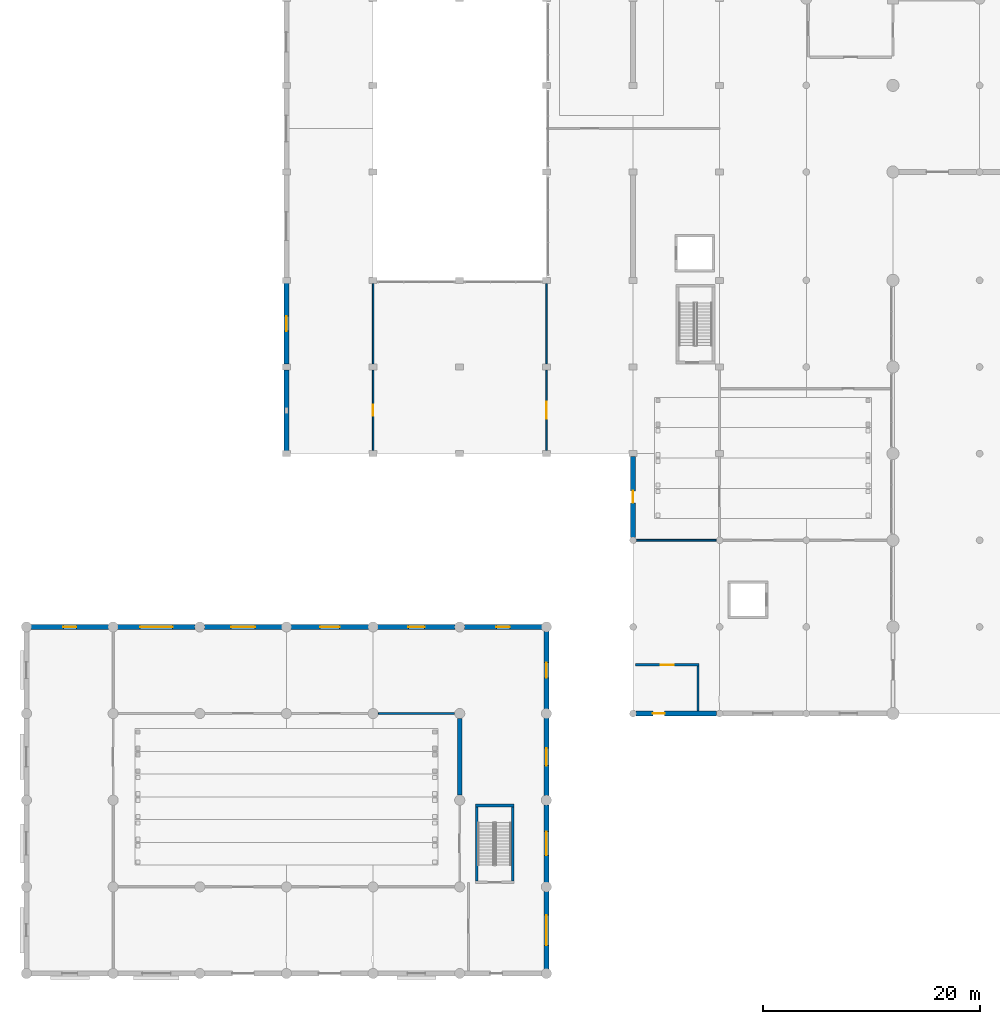
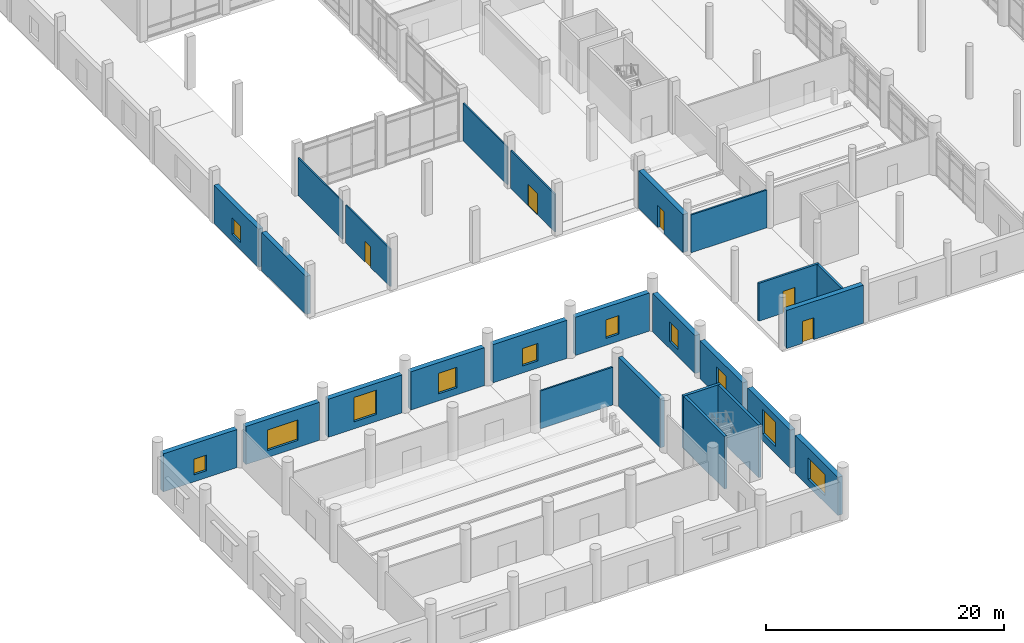
# One storey, part 22 of 42: 26 walls, 11 windows, 5 doors, 16 openings.
"""IFC4 building model written with IfcOpenShell, lengths in metres."""

from ifc_helpers import new_model, si_unit, direction, frame, frame_2d, origin, place, context, subcontext, project, spatial, rectangle, extrude, material, layer, layer_set, type_object, element, fill, save


model = new_model("IFC4")

# Units and contexts
model_context = context("Model", 3, precision=1e-05, world=origin(), true_north=direction((0.0, 1.0)))
body_context = subcontext(model_context, "Body", "Model", "MODEL_VIEW")
ifc_project = project(units=[si_unit("LENGTHUNIT", "METRE"), si_unit("AREAUNIT", "SQUARE_METRE"), si_unit("VOLUMEUNIT", "CUBIC_METRE"), si_unit("PLANEANGLEUNIT", "RADIAN"), si_unit("MASSUNIT", "GRAM", prefix="KILO")], contexts=[model_context])

# Site, building, storey
site_placement = place(None, origin())
site = spatial("IfcSite", under=ifc_project, at=site_placement, CompositionType="ELEMENT")
building_placement = place(site_placement, origin())
building = spatial("IfcBuilding", under=site, at=building_placement, Name="Pecanmere Concourse Central Library", CompositionType="ELEMENT")
storey_placement = place(building_placement, origin())
storey = spatial("IfcBuildingStorey", under=building, at=storey_placement, Name="L01", CompositionType="ELEMENT", Elevation=0.0)

# Wall, opening, window
ifc_material_1 = material(Name="Texas sunset granite ashlar", Category="masonry")
ifc_layer_1 = layer(ifc_material_1, 0.47998046875, Name="EW_GRAN_480")
ifc_layer_set_1 = layer_set([ifc_layer_1], Name="Texas sunset granite ashlar")
wall_type_1 = type_object("IfcWallType", Name="EW_GRAN_480", PredefinedType="STANDARD", material=ifc_layer_set_1)
wall_1_placement = place(storey_placement, frame((7.576904296875, 32.0, 0.0), z_axis=(0.0, 0.0, 1.0), x_axis=(-1.0, 0.0, 0.0)))
wall_1 = element("IfcWall", 1, at=wall_1_placement, inside=storey, type_object=wall_type_1, Name="Limestone Facade Wall L01-0011", PredefinedType="STANDARD", context=body_context, shape_type="SweptSolid", body=[
    extrude(rectangle(XDim=7.15380859375, YDim=0.47998046875, at=frame_2d((3.576904296875, 0.0))), origin(), (0.0, 0.0, 1.0), 3.909912109375),
])
opening_1_placement = place(wall_1_placement, frame((2.97705078125, 0.0, 0.719970703125)))
opening_1 = element("IfcOpeningElement", 2, at=opening_1_placement, cuts=wall_1, Name="Opening WN-13", PredefinedType="OPENING", context=body_context, shape_type="SweptSolid", body=[
    extrude(rectangle(XDim=1.199951171875, YDim=1.60009765625, at=frame_2d((0.60009765625, 0.800048828125))), frame((0.0, 0.251953125, 0.0), z_axis=(0.0, -1.0, 0.0), x_axis=(1.0, 0.0, 0.0)), (0.0, 0.0, 1.0), 0.50390625),
])
ifc_material_2 = material(Name="Low-iron clear insulated glazing", Category="glass")
window_type_1 = type_object("IfcWindowType", Name="WIN_1200x1600", PartitioningType="SINGLE_PANEL", PredefinedType="WINDOW", material=ifc_material_2)
window_1_placement = place(opening_1_placement, origin())
window_1 = element("IfcWindow", 3, at=window_1_placement, inside=storey, type_object=window_type_1, Name="WN-002", OverallHeight=1.60009765625, OverallWidth=1.199951171875, PartitioningType="SINGLE_PANEL", PredefinedType="WINDOW", context=body_context, shape_type="SweptSolid", body=[
    extrude(rectangle(XDim=1.199951171875, YDim=1.60009765625, at=frame_2d((0.60009765625, 0.800048828125))), frame((0.0, 0.030029296875, 0.0), z_axis=(0.0, -1.0, 0.0), x_axis=(1.0, 0.0, 0.0)), (0.0, 0.0, 1.0), 0.06005859375),
])
fill(opening_1, window_1)

wall_2_placement = place(storey_placement, frame((15.576904296875, 32.0, 0.0), z_axis=(0.0, 0.0, 1.0), x_axis=(-1.0, 0.0, 0.0)))
wall_2 = element("IfcWall", 4, at=wall_2_placement, inside=storey, type_object=wall_type_1, Name="Limestone Facade Wall L01-0013", PredefinedType="STANDARD", context=body_context, shape_type="SweptSolid", body=[
    extrude(rectangle(XDim=7.15380859375, YDim=0.47998046875, at=frame_2d((3.576904296875, 0.0))), origin(), (0.0, 0.0, 1.0), 3.909912109375),
])
opening_2_placement = place(wall_2_placement, frame((2.076904296875, 0.0, 0.719970703125)))
opening_2 = element("IfcOpeningElement", 5, at=opening_2_placement, cuts=wall_2, Name="Opening WN-17", PredefinedType="OPENING", context=body_context, shape_type="SweptSolid", body=[
    extrude(rectangle(XDim=3.0, YDim=2.10009765625, at=frame_2d((1.5, 1.050048828125))), frame((0.0, 0.251953125, 0.0), z_axis=(0.0, -1.0, 0.0), x_axis=(1.0, 0.0, 0.0)), (0.0, 0.0, 1.0), 0.50390625),
])
ifc_material_3 = material(Name="Low-iron clear insulated glazing", Category="glass")
window_type_2 = type_object("IfcWindowType", Name="WIN_3000x2100", PartitioningType="SINGLE_PANEL", PredefinedType="WINDOW", material=ifc_material_3)
window_2_placement = place(opening_2_placement, origin())
window_2 = element("IfcWindow", 6, at=window_2_placement, inside=storey, type_object=window_type_2, Name="WN-004", OverallHeight=2.10009765625, OverallWidth=3.0, PartitioningType="SINGLE_PANEL", PredefinedType="WINDOW", context=body_context, shape_type="SweptSolid", body=[
    extrude(rectangle(XDim=3.0, YDim=2.10009765625, at=frame_2d((1.5, 1.050048828125))), frame((0.0, 0.030029296875, 0.0), z_axis=(0.0, -1.0, 0.0), x_axis=(1.0, 0.0, 0.0)), (0.0, 0.0, 1.0), 0.06005859375),
])
fill(opening_2, window_2)

wall_3_placement = place(storey_placement, frame((23.576904296875, 32.0, 0.0), z_axis=(0.0, 0.0, 1.0), x_axis=(-1.0, 0.0, 0.0)))
wall_3 = element("IfcWall", 7, at=wall_3_placement, inside=storey, type_object=wall_type_1, Name="Limestone Facade Wall L01-0015", PredefinedType="STANDARD", context=body_context, shape_type="SweptSolid", body=[
    extrude(rectangle(XDim=7.15380859375, YDim=0.47998046875, at=frame_2d((3.576904296875, 0.0))), origin(), (0.0, 0.0, 1.0), 3.909912109375),
])
opening_3_placement = place(wall_3_placement, frame((2.47705078125, 0.0, 0.719970703125)))
opening_3 = element("IfcOpeningElement", 8, at=opening_3_placement, cuts=wall_3, Name="Opening WN-02", PredefinedType="OPENING", context=body_context, shape_type="SweptSolid", body=[
    extrude(rectangle(XDim=2.199951171875, YDim=2.5, at=frame_2d((1.10009765625, 1.25))), frame((0.0, 0.251953125, 0.0), z_axis=(0.0, -1.0, 0.0), x_axis=(1.0, 0.0, 0.0)), (0.0, 0.0, 1.0), 0.50390625),
])
ifc_material_4 = material(Name="Low-iron clear insulated glazing", Category="glass")
window_type_3 = type_object("IfcWindowType", Name="WIN_2200x2500", PartitioningType="SINGLE_PANEL", PredefinedType="WINDOW", material=ifc_material_4)
window_3_placement = place(opening_3_placement, origin())
window_3 = element("IfcWindow", 9, at=window_3_placement, inside=storey, type_object=window_type_3, Name="WN-005", OverallHeight=2.5, OverallWidth=2.199951171875, PartitioningType="SINGLE_PANEL", PredefinedType="WINDOW", context=body_context, shape_type="SweptSolid", body=[
    extrude(rectangle(XDim=2.199951171875, YDim=2.5, at=frame_2d((1.10009765625, 1.25))), frame((0.0, 0.030029296875, 0.0), z_axis=(0.0, -1.0, 0.0), x_axis=(1.0, 0.0, 0.0)), (0.0, 0.0, 1.0), 0.06005859375),
])
fill(opening_3, window_3)

wall_4_placement = place(storey_placement, frame((31.576904296875, 32.0, 0.0), z_axis=(0.0, 0.0, 1.0), x_axis=(-1.0, 0.0, 0.0)))
wall_4 = element("IfcWall", 10, at=wall_4_placement, inside=storey, type_object=wall_type_1, Name="Limestone Facade Wall L01-0017", PredefinedType="STANDARD", context=body_context, shape_type="SweptSolid", body=[
    extrude(rectangle(XDim=7.15380859375, YDim=0.47998046875, at=frame_2d((3.576904296875, 0.0))), origin(), (0.0, 0.0, 1.0), 3.909912109375),
])
opening_4_placement = place(wall_4_placement, frame((2.677001953125, 0.0, 0.719970703125)))
opening_4 = element("IfcOpeningElement", 11, at=opening_4_placement, cuts=wall_4, Name="Opening WN-05", PredefinedType="OPENING", context=body_context, shape_type="SweptSolid", body=[
    extrude(rectangle(XDim=1.800048828125, YDim=2.10009765625, at=frame_2d((0.89990234375, 1.050048828125))), frame((0.0, 0.251953125, 0.0), z_axis=(0.0, -1.0, 0.0), x_axis=(1.0, 0.0, 0.0)), (0.0, 0.0, 1.0), 0.50390625),
])
ifc_material_5 = material(Name="Low-iron clear insulated glazing", Category="glass")
window_type_4 = type_object("IfcWindowType", Name="WIN_1800x2100", PartitioningType="SINGLE_PANEL", PredefinedType="WINDOW", material=ifc_material_5)
window_4_placement = place(opening_4_placement, origin())
window_4 = element("IfcWindow", 12, at=window_4_placement, inside=storey, type_object=window_type_4, Name="WN-006", OverallHeight=2.10009765625, OverallWidth=1.800048828125, PartitioningType="SINGLE_PANEL", PredefinedType="WINDOW", context=body_context, shape_type="SweptSolid", body=[
    extrude(rectangle(XDim=1.800048828125, YDim=2.10009765625, at=frame_2d((0.89990234375, 1.050048828125))), frame((0.0, 0.030029296875, 0.0), z_axis=(0.0, -1.0, 0.0), x_axis=(1.0, 0.0, 0.0)), (0.0, 0.0, 1.0), 0.06005859375),
])
fill(opening_4, window_4)

wall_5_placement = place(storey_placement, frame((39.576904296875, 32.0, 0.0), z_axis=(0.0, 0.0, 1.0), x_axis=(-1.0, 0.0, 0.0)))
wall_5 = element("IfcWall", 13, at=wall_5_placement, inside=storey, type_object=wall_type_1, Name="Limestone Facade Wall L01-0019", PredefinedType="STANDARD", context=body_context, shape_type="SweptSolid", body=[
    extrude(rectangle(XDim=7.15380859375, YDim=0.47998046875, at=frame_2d((3.576904296875, 0.0))), origin(), (0.0, 0.0, 1.0), 3.909912109375),
])
opening_5_placement = place(wall_5_placement, frame((2.826904296875, 0.0, 0.719970703125)))
opening_5 = element("IfcOpeningElement", 14, at=opening_5_placement, cuts=wall_5, Name="Opening WN-09", PredefinedType="OPENING", context=body_context, shape_type="SweptSolid", body=[
    extrude(rectangle(XDim=1.5, YDim=1.800048828125, at=frame_2d((0.75, 0.89990234375))), frame((0.0, 0.251953125, 0.0), z_axis=(0.0, -1.0, 0.0), x_axis=(1.0, 0.0, 0.0)), (0.0, 0.0, 1.0), 0.50390625),
])
ifc_material_6 = material(Name="Low-iron clear insulated glazing", Category="glass")
window_type_5 = type_object("IfcWindowType", Name="WIN_1500x1800", PartitioningType="SINGLE_PANEL", PredefinedType="WINDOW", material=ifc_material_6)
window_5_placement = place(opening_5_placement, origin())
window_5 = element("IfcWindow", 15, at=window_5_placement, inside=storey, type_object=window_type_5, Name="WN-008", OverallHeight=1.800048828125, OverallWidth=1.5, PartitioningType="SINGLE_PANEL", PredefinedType="WINDOW", context=body_context, shape_type="SweptSolid", body=[
    extrude(rectangle(XDim=1.5, YDim=1.800048828125, at=frame_2d((0.75, 0.89990234375))), frame((0.0, 0.030029296875, 0.0), z_axis=(0.0, -1.0, 0.0), x_axis=(1.0, 0.0, 0.0)), (0.0, 0.0, 1.0), 0.06005859375),
])
fill(opening_5, window_5)

wall_6_placement = place(storey_placement, frame((47.576904296875, 32.0, 0.0), z_axis=(0.0, 0.0, 1.0), x_axis=(-1.0, 0.0, 0.0)))
wall_6 = element("IfcWall", 16, at=wall_6_placement, inside=storey, type_object=wall_type_1, Name="Limestone Facade Wall L01-0021", PredefinedType="STANDARD", context=body_context, shape_type="SweptSolid", body=[
    extrude(rectangle(XDim=7.15380859375, YDim=0.47998046875, at=frame_2d((3.576904296875, 0.0))), origin(), (0.0, 0.0, 1.0), 3.909912109375),
])
opening_6_placement = place(wall_6_placement, frame((2.951904296875, 0.0, 0.719970703125)))
opening_6 = element("IfcOpeningElement", 17, at=opening_6_placement, cuts=wall_6, Name="Opening WN-12", PredefinedType="OPENING", context=body_context, shape_type="SweptSolid", body=[
    extrude(rectangle(XDim=1.25, YDim=1.89990234375, at=frame_2d((0.625, 0.949951171875))), frame((0.0, 0.251953125, 0.0), z_axis=(0.0, -1.0, 0.0), x_axis=(1.0, 0.0, 0.0)), (0.0, 0.0, 1.0), 0.50390625),
])
ifc_material_7 = material(Name="Low-iron clear insulated glazing", Category="glass")
window_type_6 = type_object("IfcWindowType", Name="WIN_1250x1900", PartitioningType="SINGLE_PANEL", PredefinedType="WINDOW", material=ifc_material_7)
window_6_placement = place(opening_6_placement, origin())
window_6 = element("IfcWindow", 18, at=window_6_placement, inside=storey, type_object=window_type_6, Name="WN-009", OverallHeight=1.89990234375, OverallWidth=1.25, PartitioningType="SINGLE_PANEL", PredefinedType="WINDOW", context=body_context, shape_type="SweptSolid", body=[
    extrude(rectangle(XDim=1.25, YDim=1.89990234375, at=frame_2d((0.625, 0.949951171875))), frame((0.0, 0.030029296875, 0.0), z_axis=(0.0, -1.0, 0.0), x_axis=(1.0, 0.0, 0.0)), (0.0, 0.0, 1.0), 0.06005859375),
])
fill(opening_6, window_6)

wall_7_placement = place(storey_placement, frame((48.0, 0.423095703125, 0.0), z_axis=(0.0, 0.0, 1.0), x_axis=(0.0, 1.0, 0.0)))
wall_7 = element("IfcWall", 19, at=wall_7_placement, inside=storey, type_object=wall_type_1, Name="Limestone Facade Wall L01-0023", PredefinedType="STANDARD", context=body_context, shape_type="SweptSolid", body=[
    extrude(rectangle(XDim=7.15380859375, YDim=0.47998046875, at=frame_2d((3.576904296875, 0.0))), origin(), (0.0, 0.0, 1.0), 3.909912109375),
])
opening_7_placement = place(wall_7_placement, frame((2.177001953125, 0.0, 0.719970703125)))
opening_7 = element("IfcOpeningElement", 20, at=opening_7_placement, cuts=wall_7, Name="Opening WN-16", PredefinedType="OPENING", context=body_context, shape_type="SweptSolid", body=[
    extrude(rectangle(XDim=2.800048828125, YDim=2.199951171875, at=frame_2d((1.39990234375, 1.10009765625))), frame((0.0, 0.251953125, 0.0), z_axis=(0.0, -1.0, 0.0), x_axis=(1.0, 0.0, 0.0)), (0.0, 0.0, 1.0), 0.50390625),
])
ifc_material_8 = material(Name="Low-iron clear insulated glazing", Category="glass")
window_type_7 = type_object("IfcWindowType", Name="WIN_2800x2200", PartitioningType="SINGLE_PANEL", PredefinedType="WINDOW", material=ifc_material_8)
window_7_placement = place(opening_7_placement, origin())
window_7 = element("IfcWindow", 21, at=window_7_placement, inside=storey, type_object=window_type_7, Name="WN-011", OverallHeight=2.199951171875, OverallWidth=2.800048828125, PartitioningType="SINGLE_PANEL", PredefinedType="WINDOW", context=body_context, shape_type="SweptSolid", body=[
    extrude(rectangle(XDim=2.800048828125, YDim=2.199951171875, at=frame_2d((1.39990234375, 1.10009765625))), frame((0.0, 0.030029296875, 0.0), z_axis=(0.0, -1.0, 0.0), x_axis=(1.0, 0.0, 0.0)), (0.0, 0.0, 1.0), 0.06005859375),
])
fill(opening_7, window_7)

wall_8_placement = place(storey_placement, frame((48.0, 8.423095703125, 0.0), z_axis=(0.0, 0.0, 1.0), x_axis=(0.0, 1.0, 0.0)))
wall_8 = element("IfcWall", 22, at=wall_8_placement, inside=storey, type_object=wall_type_1, Name="Limestone Facade Wall L01-0025", PredefinedType="STANDARD", context=body_context, shape_type="SweptSolid", body=[
    extrude(rectangle(XDim=7.15380859375, YDim=0.47998046875, at=frame_2d((3.576904296875, 0.0))), origin(), (0.0, 0.0, 1.0), 3.909912109375),
])
opening_8_placement = place(wall_8_placement, frame((2.47705078125, 0.0, 0.719970703125)))
opening_8 = element("IfcOpeningElement", 23, at=opening_8_placement, cuts=wall_8, Name="Opening WN-02", PredefinedType="OPENING", context=body_context, shape_type="SweptSolid", body=[
    extrude(rectangle(XDim=2.199951171875, YDim=2.5, at=frame_2d((1.10009765625, 1.25))), frame((0.0, 0.251953125, 0.0), z_axis=(0.0, -1.0, 0.0), x_axis=(1.0, 0.0, 0.0)), (0.0, 0.0, 1.0), 0.50390625),
])
window_8_placement = place(opening_8_placement, origin())
window_8 = element("IfcWindow", 24, at=window_8_placement, inside=storey, type_object=window_type_3, Name="WN-013", OverallHeight=2.5, OverallWidth=2.199951171875, PartitioningType="SINGLE_PANEL", PredefinedType="WINDOW", context=body_context, shape_type="SweptSolid", body=[
    extrude(rectangle(XDim=2.199951171875, YDim=2.5, at=frame_2d((1.10009765625, 1.25))), frame((0.0, 0.030029296875, 0.0), z_axis=(0.0, -1.0, 0.0), x_axis=(1.0, 0.0, 0.0)), (0.0, 0.0, 1.0), 0.06005859375),
])
fill(opening_8, window_8)

wall_9_placement = place(storey_placement, frame((48.0, 16.423095703125, 0.0), z_axis=(0.0, 0.0, 1.0), x_axis=(0.0, 1.0, 0.0)))
wall_9 = element("IfcWall", 25, at=wall_9_placement, inside=storey, type_object=wall_type_1, Name="Limestone Facade Wall L01-0027", PredefinedType="STANDARD", context=body_context, shape_type="SweptSolid", body=[
    extrude(rectangle(XDim=7.15380859375, YDim=0.47998046875, at=frame_2d((3.576904296875, 0.0))), origin(), (0.0, 0.0, 1.0), 3.909912109375),
])
opening_9_placement = place(wall_9_placement, frame((2.777099609375, 0.0, 0.719970703125)))
opening_9 = element("IfcOpeningElement", 26, at=opening_9_placement, cuts=wall_9, Name="Opening WN-06", PredefinedType="OPENING", context=body_context, shape_type="SweptSolid", body=[
    extrude(rectangle(XDim=1.60009765625, YDim=2.199951171875, at=frame_2d((0.800048828125, 1.10009765625))), frame((0.0, 0.251953125, 0.0), z_axis=(0.0, -1.0, 0.0), x_axis=(1.0, 0.0, 0.0)), (0.0, 0.0, 1.0), 0.50390625),
])
ifc_material_9 = material(Name="Low-iron clear insulated glazing", Category="glass")
window_type_8 = type_object("IfcWindowType", Name="WIN_1600x2200", PartitioningType="SINGLE_PANEL", PredefinedType="WINDOW", material=ifc_material_9)
window_9_placement = place(opening_9_placement, origin())
window_9 = element("IfcWindow", 27, at=window_9_placement, inside=storey, type_object=window_type_8, Name="WN-015", OverallHeight=2.199951171875, OverallWidth=1.60009765625, PartitioningType="SINGLE_PANEL", PredefinedType="WINDOW", context=body_context, shape_type="SweptSolid", body=[
    extrude(rectangle(XDim=1.60009765625, YDim=2.199951171875, at=frame_2d((0.800048828125, 1.10009765625))), frame((0.0, 0.030029296875, 0.0), z_axis=(0.0, -1.0, 0.0), x_axis=(1.0, 0.0, 0.0)), (0.0, 0.0, 1.0), 0.06005859375),
])
fill(opening_9, window_9)

wall_10_placement = place(storey_placement, frame((48.0, 24.423095703125, 0.0), z_axis=(0.0, 0.0, 1.0), x_axis=(0.0, 1.0, 0.0)))
wall_10 = element("IfcWall", 28, at=wall_10_placement, inside=storey, type_object=wall_type_1, Name="Limestone Facade Wall L01-0029", PredefinedType="STANDARD", context=body_context, shape_type="SweptSolid", body=[
    extrude(rectangle(XDim=7.15380859375, YDim=0.47998046875, at=frame_2d((3.576904296875, 0.0))), origin(), (0.0, 0.0, 1.0), 3.909912109375),
])
opening_10_placement = place(wall_10_placement, frame((2.876953125, 0.0, 0.719970703125)))
opening_10 = element("IfcOpeningElement", 29, at=opening_10_placement, cuts=wall_10, Name="Opening WN-10", PredefinedType="OPENING", context=body_context, shape_type="SweptSolid", body=[
    extrude(rectangle(XDim=1.39990234375, YDim=2.0, at=frame_2d((0.699951171875, 1.0))), frame((0.0, 0.251953125, 0.0), z_axis=(0.0, -1.0, 0.0), x_axis=(1.0, 0.0, 0.0)), (0.0, 0.0, 1.0), 0.50390625),
])
ifc_material_10 = material(Name="Low-iron clear insulated glazing", Category="glass")
window_type_9 = type_object("IfcWindowType", Name="WIN_1400x2000", PartitioningType="SINGLE_PANEL", PredefinedType="WINDOW", material=ifc_material_10)
window_10_placement = place(opening_10_placement, origin())
window_10 = element("IfcWindow", 30, at=window_10_placement, inside=storey, type_object=window_type_9, Name="WN-017", OverallHeight=2.0, OverallWidth=1.39990234375, PartitioningType="SINGLE_PANEL", PredefinedType="WINDOW", context=body_context, shape_type="SweptSolid", body=[
    extrude(rectangle(XDim=1.39990234375, YDim=2.0, at=frame_2d((0.699951171875, 1.0))), frame((0.0, 0.030029296875, 0.0), z_axis=(0.0, -1.0, 0.0), x_axis=(1.0, 0.0, 0.0)), (0.0, 0.0, 1.0), 0.06005859375),
])
fill(opening_10, window_10)

# Wall, opening, door
wall_11_placement = place(storey_placement, frame((56.279052734375, 24.0, 0.0), z_axis=(0.0, 0.0, 1.0), x_axis=(1.0, 0.0, 0.0)))
wall_11 = element("IfcWall", 31, at=wall_11_placement, inside=storey, type_object=wall_type_1, Name="Limestone Facade Wall L01-0217", PredefinedType="STANDARD", context=body_context, shape_type="SweptSolid", body=[
    extrude(rectangle(XDim=7.44189453125, YDim=0.47998046875, at=frame_2d((3.720947265625, 0.0))), origin(), (0.0, 0.0, 1.0), 3.909912109375),
])
opening_11_placement = place(wall_11_placement, frame((1.550048828125, 0.0, 0.0)))
opening_11 = element("IfcOpeningElement", 32, at=opening_11_placement, cuts=wall_11, Name="Opening ED-04", PredefinedType="OPENING", context=body_context, shape_type="SweptSolid", body=[
    extrude(rectangle(XDim=1.10009765625, YDim=2.25, at=frame_2d((0.550048828125, 1.125))), frame((0.0, 0.251953125, 0.0), z_axis=(0.0, -1.0, 0.0), x_axis=(1.0, 0.0, 0.0)), (0.0, 0.0, 1.0), 0.50390625),
])
ifc_material_11 = material(Name="Anodized bronze aluminium alloy 6063-T6", Category="aluminium")
door_type_1 = type_object("IfcDoorType", Name="ED-04", OperationType="SINGLE_SWING_LEFT", PredefinedType="DOOR", material=ifc_material_11)
door_1_placement = place(opening_11_placement, frame((1.10009765625, 0.0, 0.0), z_axis=(0.0, 0.0, 1.0), x_axis=(-1.0, 0.0, 0.0)))
door_1 = element("IfcDoor", 33, at=door_1_placement, inside=storey, type_object=door_type_1, Name="ED-020", OperationType="SINGLE_SWING_LEFT", OverallHeight=2.25, OverallWidth=1.10009765625, PredefinedType="DOOR", context=body_context, shape_type="SweptSolid", body=[
    extrude(rectangle(XDim=1.10009765625, YDim=2.25, at=frame_2d((0.550048828125, 1.125))), frame((0.0, 0.02490234375, 0.0), z_axis=(0.0, -1.0, 0.0), x_axis=(1.0, 0.0, 0.0)), (0.0, 0.0, 1.0), 0.050048828125),
])
fill(opening_11, door_1)

wall_12_placement = place(storey_placement, frame((56.0, 47.735107421875, 0.0), z_axis=(0.0, 0.0, 1.0), x_axis=(0.0, -1.0, 0.0)))
wall_12 = element("IfcWall", 34, at=wall_12_placement, inside=storey, type_object=wall_type_1, Name="Limestone Facade Wall L01-0223", PredefinedType="STANDARD", context=body_context, shape_type="SweptSolid", body=[
    extrude(rectangle(XDim=7.4560546875, YDim=0.47998046875, at=frame_2d((3.72802734375, 0.0))), origin(), (0.0, 0.0, 1.0), 3.909912109375),
])
opening_12_placement = place(wall_12_placement, frame((3.177978515625, 0.0, 0.0)))
opening_12 = element("IfcOpeningElement", 35, at=opening_12_placement, cuts=wall_12, Name="Opening ED-04", PredefinedType="OPENING", context=body_context, shape_type="SweptSolid", body=[
    extrude(rectangle(XDim=1.10009765625, YDim=2.25, at=frame_2d((0.550048828125, 1.125))), frame((0.0, 0.251953125, 0.0), z_axis=(0.0, -1.0, 0.0), x_axis=(1.0, 0.0, 0.0)), (0.0, 0.0, 1.0), 0.50390625),
])
door_2_placement = place(opening_12_placement, frame((1.10009765625, 0.0, 0.0), z_axis=(0.0, 0.0, 1.0), x_axis=(-1.0, 0.0, 0.0)))
door_2 = element("IfcDoor", 36, at=door_2_placement, inside=storey, type_object=door_type_1, Name="ED-022", OperationType="SINGLE_SWING_LEFT", OverallHeight=2.25, OverallWidth=1.10009765625, PredefinedType="DOOR", context=body_context, shape_type="SweptSolid", body=[
    extrude(rectangle(XDim=1.10009765625, YDim=2.25, at=frame_2d((0.550048828125, 1.125))), frame((0.0, 0.02490234375, 0.0), z_axis=(0.0, -1.0, 0.0), x_axis=(1.0, 0.0, 0.0)), (0.0, 0.0, 1.0), 0.050048828125),
])
fill(opening_12, door_2)

# Wall
ifc_material_12 = material(Name="Texas cream limestone ashlar masonry", Category="masonry")
ifc_layer_2 = layer(ifc_material_12, 0.43994140625, Name="EW_LIME_440")
ifc_layer_set_2 = layer_set([ifc_layer_2], Name="Texas cream limestone ashlar masonry")
wall_type_2 = type_object("IfcWallType", Name="EW_LIME_440", PredefinedType="STANDARD", material=ifc_layer_set_2)
wall_13_placement = place(storey_placement, frame((24.0, 55.735107421875, 0.0), z_axis=(0.0, 0.0, 1.0), x_axis=(0.0, -1.0, 0.0)))
element("IfcWall", 37, at=wall_13_placement, inside=storey, type_object=wall_type_2, Name="Limestone Facade Wall L01-0129", PredefinedType="STANDARD", context=body_context, shape_type="SweptSolid", body=[
    extrude(rectangle(XDim=7.47021484375, YDim=0.43994140625, at=frame_2d((3.735107421875, 0.0))), origin(), (0.0, 0.0, 1.0), 3.909912109375),
])

# Wall, opening, window
wall_14_placement = place(storey_placement, frame((24.0, 63.735107421875, 0.0), z_axis=(0.0, 0.0, 1.0), x_axis=(0.0, -1.0, 0.0)))
wall_14 = element("IfcWall", 38, at=wall_14_placement, inside=storey, type_object=wall_type_2, Name="Limestone Facade Wall L01-0131", PredefinedType="STANDARD", context=body_context, shape_type="SweptSolid", body=[
    extrude(rectangle(XDim=7.47021484375, YDim=0.43994140625, at=frame_2d((3.735107421875, 0.0))), origin(), (0.0, 0.0, 1.0), 3.909912109375),
])
opening_13_placement = place(wall_14_placement, frame((3.034912109375, 0.0, 0.719970703125)))
opening_13 = element("IfcOpeningElement", 39, at=opening_13_placement, cuts=wall_14, Name="Opening WN-11", PredefinedType="OPENING", context=body_context, shape_type="SweptSolid", body=[
    extrude(rectangle(XDim=1.39990234375, YDim=1.699951171875, at=frame_2d((0.699951171875, 0.85009765625))), frame((0.0, 0.23193359375, 0.0), z_axis=(0.0, -1.0, 0.0), x_axis=(1.0, 0.0, 0.0)), (0.0, 0.0, 1.0), 0.4638671875),
])
ifc_material_13 = material(Name="Low-iron clear insulated glazing", Category="glass")
window_type_10 = type_object("IfcWindowType", Name="WIN_1400x1700", PartitioningType="SINGLE_PANEL", PredefinedType="WINDOW", material=ifc_material_13)
window_11_placement = place(opening_13_placement, origin())
window_11 = element("IfcWindow", 40, at=window_11_placement, inside=storey, type_object=window_type_10, Name="WN-114", OverallHeight=1.699951171875, OverallWidth=1.39990234375, PartitioningType="SINGLE_PANEL", PredefinedType="WINDOW", context=body_context, shape_type="SweptSolid", body=[
    extrude(rectangle(XDim=1.39990234375, YDim=1.699951171875, at=frame_2d((0.699951171875, 0.85009765625))), frame((0.0, 0.030029296875, 0.0), z_axis=(0.0, -1.0, 0.0), x_axis=(1.0, 0.0, 0.0)), (0.0, 0.0, 1.0), 0.06005859375),
])
fill(opening_13, window_11)

# Wall, opening, door
ifc_material_14 = material(Name="Fire-rated gypsum board on acoustic steel stud", Category="steel")
ifc_layer_3 = layer(ifc_material_14, 0.135009765625, Name="IW_PART_135")
ifc_layer_set_3 = layer_set([ifc_layer_3], Name="Fire-rated gypsum board on acoustic steel stud")
wall_type_3 = type_object("IfcWallType", Name="IW_PART_135", PredefinedType="PARTITIONING", material=ifc_layer_set_3)
wall_15_placement = place(storey_placement, frame((32.0, 48.280029296875, 0.0), z_axis=(0.0, 0.0, 1.0), x_axis=(0.0, 1.0, 0.0)))
wall_15 = element("IfcWall", 41, at=wall_15_placement, inside=storey, type_object=wall_type_3, Name="Interior Partition L01-0118", PredefinedType="PARTITIONING", context=body_context, shape_type="SweptSolid", body=[
    extrude(rectangle(XDim=7.43994140625, YDim=0.135009765625, at=frame_2d((3.719970703125, 0.0))), origin(), (0.0, 0.0, 1.0), 3.8798828125),
])
opening_14_placement = place(wall_15_placement, frame((3.219970703125, 0.0, 0.0)))
opening_14 = element("IfcOpeningElement", 42, at=opening_14_placement, cuts=wall_15, Name="Opening DT-04", PredefinedType="OPENING", context=body_context, shape_type="SweptSolid", body=[
    extrude(rectangle(XDim=1.0, YDim=2.14990234375, at=frame_2d((0.5, 1.074951171875))), frame((0.0, 0.07958984375, 0.0), z_axis=(0.0, -1.0, 0.0), x_axis=(1.0, 0.0, 0.0)), (0.0, 0.0, 1.0), 0.158935546875),
])
ifc_material_15 = material(Name="Solid white oak architectural joinery")
door_type_2 = type_object("IfcDoorType", Name="DT-04", OperationType="SINGLE_SWING_RIGHT", PredefinedType="DOOR", material=ifc_material_15)
door_3_placement = place(opening_14_placement, frame((1.0, 0.0, 0.0), z_axis=(0.0, 0.0, 1.0), x_axis=(-1.0, 0.0, 0.0)))
door_3 = element("IfcDoor", 43, at=door_3_placement, inside=storey, type_object=door_type_2, Name="D-179", OperationType="SINGLE_SWING_RIGHT", OverallHeight=2.14990234375, OverallWidth=1.0, PredefinedType="DOOR", context=body_context, shape_type="SweptSolid", body=[
    extrude(rectangle(XDim=1.0, YDim=2.14990234375, at=frame_2d((0.5, 1.074951171875))), frame((0.0, 0.02490234375, 0.0), z_axis=(0.0, -1.0, 0.0), x_axis=(1.0, 0.0, 0.0)), (0.0, 0.0, 1.0), 0.050048828125),
])
fill(opening_14, door_3)

# Wall
wall_16_placement = place(storey_placement, frame((32.0, 56.280029296875, 0.0), z_axis=(0.0, 0.0, 1.0), x_axis=(0.0, 1.0, 0.0)))
element("IfcWall", 44, at=wall_16_placement, inside=storey, type_object=wall_type_3, Name="Interior Partition L01-0119", PredefinedType="PARTITIONING", context=body_context, shape_type="SweptSolid", body=[
    extrude(rectangle(XDim=7.43994140625, YDim=0.135009765625, at=frame_2d((3.719970703125, 0.0))), origin(), (0.0, 0.0, 1.0), 3.8798828125),
])

# Wall, opening, door
wall_17_placement = place(storey_placement, frame((48.0, 48.280029296875, 0.0), z_axis=(0.0, 0.0, 1.0), x_axis=(0.0, 1.0, 0.0)))
wall_17 = element("IfcWall", 45, at=wall_17_placement, inside=storey, type_object=wall_type_3, Name="Interior Partition L01-0122", PredefinedType="PARTITIONING", context=body_context, shape_type="SweptSolid", body=[
    extrude(rectangle(XDim=7.43994140625, YDim=0.135009765625, at=frame_2d((3.719970703125, 0.0))), origin(), (0.0, 0.0, 1.0), 3.8798828125),
])
opening_15_placement = place(wall_17_placement, frame((2.919921875, 0.0, 0.0)))
opening_15 = element("IfcOpeningElement", 46, at=opening_15_placement, cuts=wall_17, Name="Opening DT-02", PredefinedType="OPENING", context=body_context, shape_type="SweptSolid", body=[
    extrude(rectangle(XDim=1.60009765625, YDim=2.199951171875, at=frame_2d((0.800048828125, 1.10009765625))), frame((0.0, 0.07958984375, 0.0), z_axis=(0.0, -1.0, 0.0), x_axis=(1.0, 0.0, 0.0)), (0.0, 0.0, 1.0), 0.158935546875),
])
ifc_material_16 = material(Name="Solid white oak architectural joinery")
door_type_3 = type_object("IfcDoorType", Name="DT-02", OperationType="DOUBLE_DOOR_SINGLE_SWING", PredefinedType="DOOR", material=ifc_material_16)
door_4_placement = place(opening_15_placement, frame((1.60009765625, 0.0, 0.0), z_axis=(0.0, 0.0, 1.0), x_axis=(-1.0, 0.0, 0.0)))
door_4 = element("IfcDoor", 47, at=door_4_placement, inside=storey, type_object=door_type_3, Name="D-181", OperationType="DOUBLE_DOOR_SINGLE_SWING", OverallHeight=2.199951171875, OverallWidth=1.60009765625, PredefinedType="DOOR", context=body_context, shape_type="SweptSolid", body=[
    extrude(rectangle(XDim=1.60009765625, YDim=2.199951171875, at=frame_2d((0.800048828125, 1.10009765625))), frame((0.0, 0.02490234375, 0.0), z_axis=(0.0, -1.0, 0.0), x_axis=(1.0, 0.0, 0.0)), (0.0, 0.0, 1.0), 0.050048828125),
])
fill(opening_15, door_4)

# Walls
wall_18_placement = place(storey_placement, frame((48.0, 56.280029296875, 0.0), z_axis=(0.0, 0.0, 1.0), x_axis=(0.0, 1.0, 0.0)))
element("IfcWall", 48, at=wall_18_placement, inside=storey, type_object=wall_type_3, Name="Interior Partition L01-0123", PredefinedType="PARTITIONING", context=body_context, shape_type="SweptSolid", body=[
    extrude(rectangle(XDim=7.43994140625, YDim=0.135009765625, at=frame_2d((3.719970703125, 0.0))), origin(), (0.0, 0.0, 1.0), 3.8798828125),
])
ifc_material_17 = material(Name="Fire-rated gypsum board on acoustic steel stud", Category="steel")
ifc_layer_4 = layer(ifc_material_17, 0.159912109375, Name="IW_PART_160")
ifc_layer_set_4 = layer_set([ifc_layer_4], Name="Fire-rated gypsum board on acoustic steel stud")
wall_type_4 = type_object("IfcWallType", Name="IW_PART_160", PredefinedType="PARTITIONING", material=ifc_layer_set_4)
wall_19_placement = place(storey_placement, frame((32.47998046875, 24.0, 0.0), z_axis=(0.0, 0.0, 1.0), x_axis=(1.0, 0.0, 0.0)))
element("IfcWall", 49, at=wall_19_placement, inside=storey, type_object=wall_type_4, Name="Interior Partition L01-0089", PredefinedType="PARTITIONING", context=body_context, shape_type="SweptSolid", body=[
    extrude(rectangle(XDim=7.0400390625, YDim=0.159912109375, at=frame_2d((3.52001953125, 0.0))), origin(), (0.0, 0.0, 1.0), 3.8798828125),
])
wall_20_placement = place(storey_placement, frame((56.320068359375, 40.0, 0.0), z_axis=(0.0, 0.0, 1.0), x_axis=(1.0, 0.0, 0.0)))
element("IfcWall", 50, at=wall_20_placement, inside=storey, type_object=wall_type_4, Name="Interior Partition L01-0104", PredefinedType="PARTITIONING", context=body_context, shape_type="SweptSolid", body=[
    extrude(rectangle(XDim=7.35986328125, YDim=0.159912109375, at=frame_2d((3.679931640625, 0.0))), origin(), (0.0, 0.0, 1.0), 3.8798828125),
])

# Wall, opening, door
ifc_material_18 = material(Name="Fire-rated gypsum board on acoustic steel stud", Category="steel")
ifc_layer_5 = layer(ifc_material_18, 0.199951171875, Name="IW_PART_200")
ifc_layer_set_5 = layer_set([ifc_layer_5], Name="Fire-rated gypsum board on acoustic steel stud")
wall_type_5 = type_object("IfcWallType", Name="IW_PART_200", PredefinedType="PARTITIONING", material=ifc_layer_set_5)
wall_21_placement = place(storey_placement, frame((56.25, 28.5, 0.0), z_axis=(0.0, 0.0, 1.0), x_axis=(1.0, 0.0, 0.0)))
wall_21 = element("IfcWall", 51, at=wall_21_placement, inside=storey, type_object=wall_type_5, Name="Interior Partition L01-0080", PredefinedType="PARTITIONING", context=body_context, shape_type="SweptSolid", body=[
    extrude(rectangle(XDim=5.85009765625, YDim=0.199951171875, at=frame_2d((2.925048828125, 0.0))), origin(), (0.0, 0.0, 1.0), 3.8798828125),
])
opening_16_placement = place(wall_21_placement, frame((2.324951171875, 0.0, 0.0)))
opening_16 = element("IfcOpeningElement", 52, at=opening_16_placement, cuts=wall_21, Name="Opening FD-04", PredefinedType="OPENING", context=body_context, shape_type="SweptSolid", body=[
    extrude(rectangle(XDim=1.199951171875, YDim=2.25, at=frame_2d((0.60009765625, 1.125))), frame((0.0, 0.11181640625, 0.0), z_axis=(0.0, -1.0, 0.0), x_axis=(1.0, 0.0, 0.0)), (0.0, 0.0, 1.0), 0.223876953125),
])
ifc_material_19 = material(Name="Painted architectural steel ASTM A36", Category="steel")
door_type_4 = type_object("IfcDoorType", Name="FD-04", OperationType="SINGLE_SWING_LEFT", PredefinedType="DOOR", material=ifc_material_19)
door_5_placement = place(opening_16_placement, origin())
door_5 = element("IfcDoor", 53, at=door_5_placement, inside=storey, type_object=door_type_4, Name="D-160", OperationType="SINGLE_SWING_LEFT", OverallHeight=2.25, OverallWidth=1.199951171875, PredefinedType="DOOR", context=body_context, shape_type="SweptSolid", body=[
    extrude(rectangle(XDim=1.199951171875, YDim=2.25, at=frame_2d((0.60009765625, 1.125))), frame((0.0, 0.02490234375, 0.0), z_axis=(0.0, -1.0, 0.0), x_axis=(1.0, 0.0, 0.0)), (0.0, 0.0, 1.0), 0.050048828125),
])
fill(opening_16, door_5)

# Walls
wall_22_placement = place(storey_placement, frame((62.0, 24.25, 0.0), z_axis=(0.0, 0.0, 1.0), x_axis=(0.0, 1.0, 0.0)))
element("IfcWall", 54, at=wall_22_placement, inside=storey, type_object=wall_type_5, Name="Interior Partition L01-0081", PredefinedType="PARTITIONING", context=body_context, shape_type="SweptSolid", body=[
    extrude(rectangle(XDim=4.1298828125, YDim=0.199951171875, at=frame_2d((2.06494140625, 0.0))), origin(), (0.0, 0.0, 1.0), 3.8798828125),
])
ifc_material_20 = material(Name="Concrete C40/50", Category="concrete")
ifc_layer_6 = layer(ifc_material_20, 0.3798828125, Name="WALL_SHR_380")
ifc_layer_set_6 = layer_set([ifc_layer_6], Name="Concrete C40/50")
wall_type_6 = type_object("IfcWallType", Name="WALL_SHR_380", PredefinedType="SHEAR", material=ifc_layer_set_6)
wall_23_placement = place(storey_placement, frame((40.0, 16.469970703125, 0.0), z_axis=(0.0, 0.0, 1.0), x_axis=(0.0, 1.0, 0.0)))
element("IfcWall", 55, at=wall_23_placement, inside=storey, type_object=wall_type_6, Name="Lateral Shear Wall L01-032", PredefinedType="SHEAR", context=body_context, shape_type="SweptSolid", body=[
    extrude(rectangle(XDim=7.06005859375, YDim=0.3798828125, at=frame_2d((3.530029296875, 0.0))), origin(), (0.0, 0.0, 1.0), 5.030029296875),
])
ifc_material_21 = material(Name="Concrete C40/50", Category="concrete")
ifc_layer_7 = layer(ifc_material_21, 0.260009765625, Name="WALL_SLD_260")
ifc_layer_set_7 = layer_set([ifc_layer_7], Name="Concrete C40/50")
wall_type_7 = type_object("IfcWallType", Name="WALL_SLD_260", PredefinedType="SOLIDWALL", material=ifc_layer_set_7)
wall_24_placement = place(storey_placement, frame((41.43994140625, 15.5, 0.0), z_axis=(0.0, 0.0, 1.0), x_axis=(1.0, 0.0, 0.0)))
element("IfcWall", 56, at=wall_24_placement, inside=storey, type_object=wall_type_7, Name="Core C7 North Wall L01", PredefinedType="SOLIDWALL", context=body_context, shape_type="SweptSolid", body=[
    extrude(rectangle(XDim=3.580078125, YDim=0.260009765625, at=frame_2d((1.7900390625, 0.0))), origin(), (0.0, 0.0, 1.0), 5.39990234375),
])
for number, where, z_axis, x_axis, name in (
    (57, (41.570068359375, 8.550048828125, 0.0), (0.0, 0.0, 1.0), (0.0, 1.0, 0.0), "Core C7 W Wall L01"),
    (58, (44.889892578125, 8.550048828125, 0.0), (0.0, 0.0, 1.0), (0.0, 1.0, 0.0), "Core C7 E Wall L01"),
):
    element("IfcWall", number, at=place(storey_placement, frame(where, z_axis=z_axis, x_axis=x_axis)), inside=storey, type_object=wall_type_7, Name=name, PredefinedType="SOLIDWALL", context=body_context, shape_type="SweptSolid", body=[
        extrude(rectangle(XDim=6.820068359375, YDim=0.260009765625, at=frame_2d((3.41015625, 0.0))), origin(), (0.0, 0.0, 1.0), 5.39990234375),
    ])

save(model, "model.ifc")
